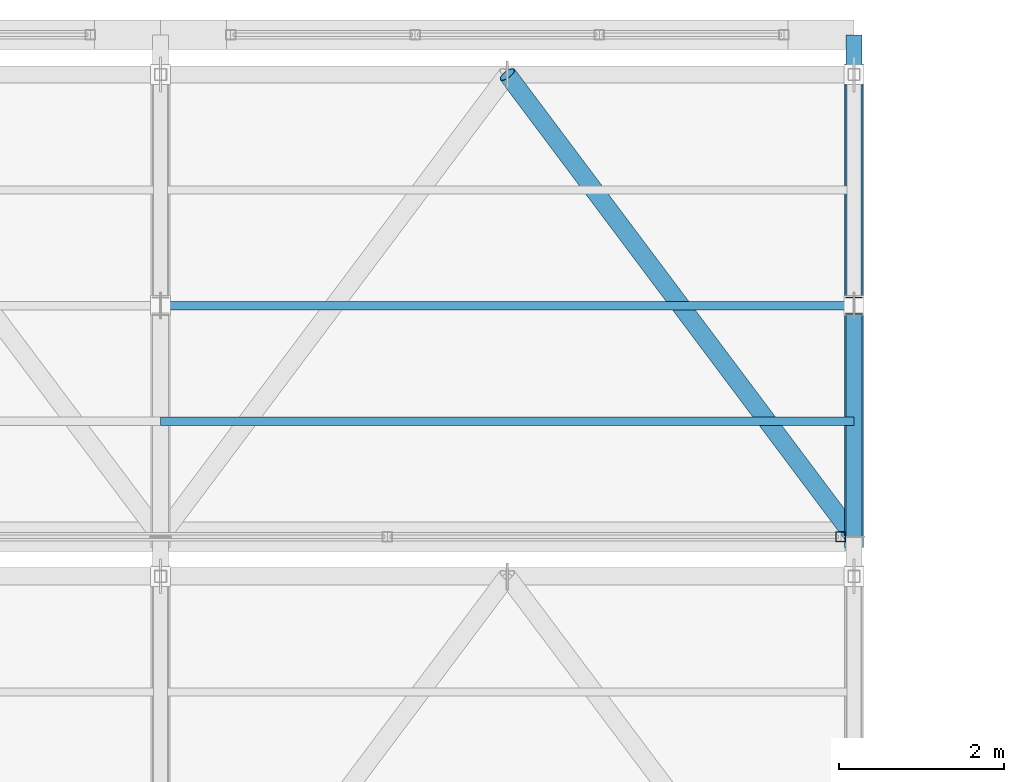
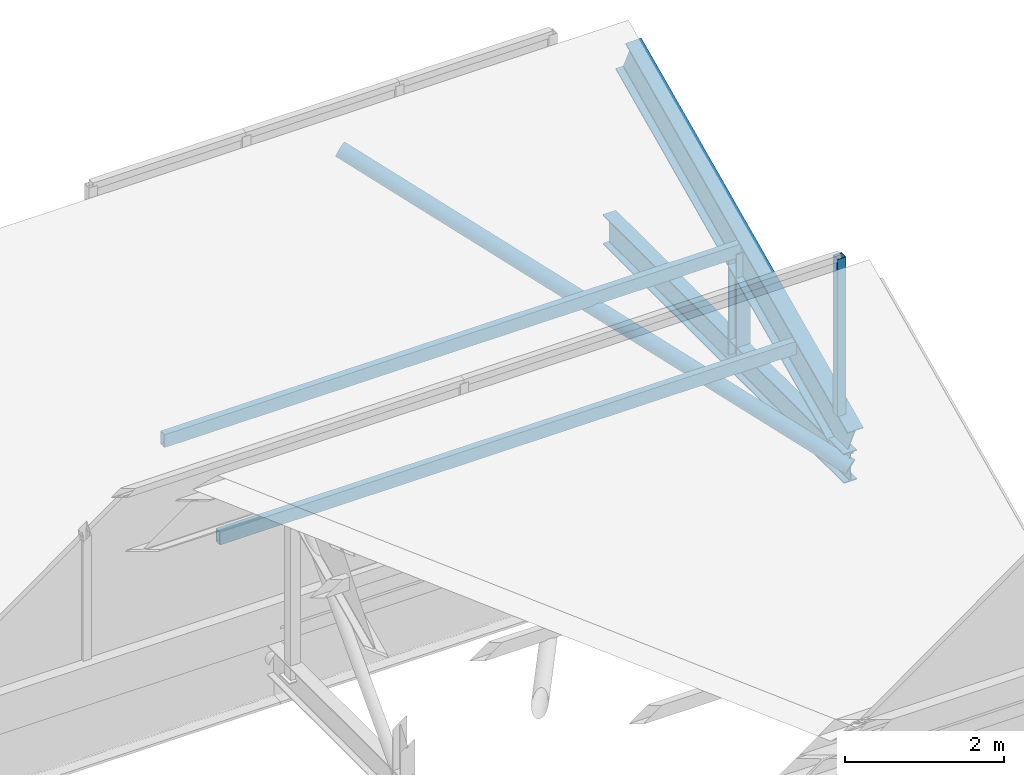
# One storey, part 129 of 217: 7 members, 1 element without a shape of its own.
"""IFC4 building model written with IfcOpenShell, lengths in metres."""

import ifcopenshell
import ifcopenshell.guid

model = None  # the IFC model being written
_history = None  # IfcOwnerHistory: only IFC2X3 demands one
_inside = {}  # id of a spatial element -> (the spatial element, [elements in it])
_under = {}  # id of a project, library or spatial element -> (it, [spatial elements below it])
_declared = {}  # id of a project -> (the project, [libraries it declares])
_typed = {}  # id of a type object -> (the type object, [elements of that type])
_made_of = {}  # id of a material, layer set ... -> (it, [elements and type objects made of it])


def new_model(schema):
    """Start an empty IFC model of exactly this schema.

    Asked for "IFC4X3", IfcOpenShell would pick the latest addendum, in which some entities
    have other attributes; the version numbers below select the first issue.
    IFC2X3 requires an IfcOwnerHistory on every rooted entity: one is made here for all.
    """
    global model, _history
    if schema == "IFC4X3":
        model = ifcopenshell.file(schema_version=(4, 3, 0, 0))
    else:
        model = ifcopenshell.file(schema=schema)
    _inside.clear()
    _under.clear()
    _declared.clear()
    _typed.clear()
    _made_of.clear()
    _history = None
    if model.schema == "IFC2X3":
        org = make("IfcOrganization", Name="unknown")
        user = make(
            "IfcPersonAndOrganization",
            ThePerson=make("IfcPerson", FamilyName="unknown"),
            TheOrganization=org,
        )
        app = make(
            "IfcApplication",
            ApplicationDeveloper=org,
            Version="unknown",
            ApplicationFullName="unknown",
            ApplicationIdentifier="unknown",
        )
        _history = make(
            "IfcOwnerHistory",
            OwningUser=user,
            OwningApplication=app,
            ChangeAction="ADDED",
            CreationDate=0,
        )
    return model


def make(cls, **values):
    """One entity of the class cls with the attributes given. An attribute that is None is left unset."""
    return model.create_entity(
        cls, **{name: value for name, value in values.items() if value is not None}
    )


def rooted(cls, **values):
    """An entity with a GlobalId (a new one), such as an element, a storey or a relation."""
    return make(cls, GlobalId=ifcopenshell.guid.new(), OwnerHistory=_history, **values)


def si_unit(unit_type, name, prefix=None):
    """IfcSIUnit, for example si_unit("LENGTHUNIT", "METRE", prefix="MILLI")."""
    return make("IfcSIUnit", UnitType=unit_type, Prefix=prefix, Name=name)


def assignment(units):
    """IfcUnitAssignment: the units of a project."""
    return None if units is None else make("IfcUnitAssignment", Units=units)


def point(xyz):
    """IfcCartesianPoint."""
    return None if xyz is None else make("IfcCartesianPoint", Coordinates=xyz)


def direction(xyz):
    """IfcDirection."""
    return None if xyz is None else make("IfcDirection", DirectionRatios=xyz)


def frame(location, z_axis=None, x_axis=None):
    """IfcAxis2Placement3D, a coordinate frame: its origin and axes. An axis left out is left unset."""
    return make(
        "IfcAxis2Placement3D",
        Location=point(location),
        Axis=direction(z_axis),
        RefDirection=direction(x_axis),
    )


def frame_2d(location, x_axis=None):
    """IfcAxis2Placement2D, a coordinate frame in the plane: its origin and x axis."""
    return make(
        "IfcAxis2Placement2D", Location=point(location), RefDirection=direction(x_axis)
    )


def origin():
    """The frame at (0, 0, 0) with its axes left unset."""
    return frame((0.0, 0.0, 0.0))


def origin_2d():
    """The frame at (0, 0) in the plane with its x axis left unset."""
    return frame_2d((0.0, 0.0))


def place(relative_to, where):
    """IfcLocalPlacement: puts the frame where relative to a parent placement (None: the world)."""
    return make(
        "IfcLocalPlacement", PlacementRelTo=relative_to, RelativePlacement=where
    )


def context(
    kind, dimensions, precision=None, world=None, true_north=None, identifier=None
):
    """IfcGeometricRepresentationContext, for example the 3D "Model" context."""
    return make(
        "IfcGeometricRepresentationContext",
        ContextIdentifier=identifier,
        ContextType=kind,
        CoordinateSpaceDimension=dimensions,
        Precision=precision,
        WorldCoordinateSystem=world,
        TrueNorth=true_north,
    )


def subcontext(parent, identifier, kind, view, scale=None):
    """IfcGeometricRepresentationSubContext, for example "Body" below "Model"."""
    return make(
        "IfcGeometricRepresentationSubContext",
        ContextIdentifier=identifier,
        ContextType=kind,
        ParentContext=parent,
        TargetScale=scale,
        TargetView=view,
    )


def project(units=None, contexts=None):
    """IfcProject with its units and contexts."""
    return rooted(
        "IfcProject",
        Name="project",
        RepresentationContexts=contexts,
        UnitsInContext=assignment(units),
    )


def spatial(cls, under=None, at=None, **own):
    """A site, building, storey or space (cls), placed at a placement, below another one or the project."""
    s = rooted(cls, ObjectPlacement=at, **own)
    if under is not None:
        _under.setdefault(under.id(), (under, []))[1].append(s)
    return s


def profile(cls, at=None, kind="AREA", **sizes):
    """A parametric profile (cls). Its sizes go by their IFC names, for example OverallWidth=200.0."""
    return make(cls, ProfileType=kind, Position=at, **sizes)


def hollow_rectangle(**sizes):
    """IfcRectangleHollowProfileDef."""
    return profile("IfcRectangleHollowProfileDef", **sizes)


def hollow_circle(**sizes):
    """IfcCircleHollowProfileDef."""
    return profile("IfcCircleHollowProfileDef", **sizes)


def i_section(**sizes):
    """IfcIShapeProfileDef."""
    return profile("IfcIShapeProfileDef", **sizes)


def extrude(swept, where, along, depth):
    """IfcExtrudedAreaSolid: the profile swept, set in the frame where, extruded along a direction by depth."""
    return make(
        "IfcExtrudedAreaSolid",
        SweptArea=swept,
        Position=where,
        ExtrudedDirection=direction(along),
        Depth=depth,
    )


def shape(context_of_items, identifier, shape_type, items):
    """IfcShapeRepresentation: the items that make up one representation, for example the "Body"."""
    return make(
        "IfcShapeRepresentation",
        ContextOfItems=context_of_items,
        RepresentationIdentifier=identifier,
        RepresentationType=shape_type,
        Items=items,
    )


def material(Name=None, Category=None):
    """IfcMaterial."""
    return make("IfcMaterial", Name=Name, Category=Category)


def material_profile(
    of_material, cross_section, Name=None, Category=None, Priority=None
):
    """IfcMaterialProfile: a cross section and its material."""
    return make(
        "IfcMaterialProfile",
        Name=Name,
        Material=of_material,
        Profile=cross_section,
        Priority=Priority,
        Category=Category,
    )


def profile_set(profiles, Name=None, composite=None):
    """IfcMaterialProfileSet."""
    return make(
        "IfcMaterialProfileSet",
        Name=Name,
        MaterialProfiles=profiles,
        CompositeProfile=composite,
    )


def made_of(thing, what):
    """Note that an element or type object is made of a material, layer set ...; save() writes the relation."""
    if what is not None:
        _made_of.setdefault(what.id(), (what, []))[1].append(thing)
    return thing


def type_object(cls, material=None, **own):
    """A type object (cls), such as IfcWallType, which elements share."""
    return made_of(rooted(cls, **own), material)


def element(
    cls,
    number,
    at=None,
    inside=None,
    cuts=None,
    type_object=None,
    material=None,
    context=None,
    identifier="Body",
    shape_type=None,
    held_by="IfcProductDefinitionShape",
    body=None,
    shapes=None,
    **own,
):
    """One element of the class cls, such as IfcWall. Its Tag is "e" and its number.

    at: its placement. inside: the storey or other place that contains it. cuts: it is an
    opening in that element (IfcRelVoidsElement). A single representation is given by context,
    identifier, shape_type and body (its items); several are given by shapes. held_by: the class
    of the entity that holds the representations. save() writes the other relations.
    """
    e = rooted(cls, Tag="e%d" % number, ObjectPlacement=at, **own)
    if body is not None:
        shapes = [shape(context, identifier, shape_type, body)]
    if shapes is not None:
        e.Representation = make(held_by, Representations=shapes)
    if inside is not None:
        _inside.setdefault(inside.id(), (inside, []))[1].append(e)
    if cuts is not None:
        rooted(
            "IfcRelVoidsElement", RelatingBuildingElement=cuts, RelatedOpeningElement=e
        )
    if type_object is not None:
        _typed.setdefault(type_object.id(), (type_object, []))[1].append(e)
    return made_of(e, material)


def aggregate(whole, parts):
    """IfcRelAggregates: a whole, such as a stair, and the parts it consists of."""
    return rooted("IfcRelAggregates", RelatingObject=whole, RelatedObjects=parts)


def save(model, path):
    """Write the relations noted so far, then the file.

    IfcRelAggregates (storeys below a building ...), IfcRelContainedInSpatialStructure (elements
    in a storey), IfcRelDefinesByType, IfcRelAssociatesMaterial and IfcRelDeclares: one each for
    every whole, place, type object, material and project.
    """
    for whole, parts in _under.values():
        aggregate(whole, parts)
    for where, things in _inside.values():
        rooted(
            "IfcRelContainedInSpatialStructure",
            RelatedElements=things,
            RelatingStructure=where,
        )
    for kind, things in _typed.values():
        rooted("IfcRelDefinesByType", RelatedObjects=things, RelatingType=kind)
    for what, things in _made_of.values():
        rooted("IfcRelAssociatesMaterial", RelatedObjects=things, RelatingMaterial=what)
    for by, libraries in _declared.values():
        rooted("IfcRelDeclares", RelatingContext=by, RelatedDefinitions=libraries)
    model.write(path)


model = new_model("IFC4")

# Units and contexts
model_context = context("Model", 3, precision=1e-05, world=origin(), true_north=direction((0.0, 1.0)))
body_context = subcontext(model_context, "Body", "Model", "MODEL_VIEW")
ifc_project = project(units=[si_unit("LENGTHUNIT", "METRE"), si_unit("AREAUNIT", "SQUARE_METRE"), si_unit("VOLUMEUNIT", "CUBIC_METRE"), si_unit("PLANEANGLEUNIT", "RADIAN"), si_unit("MASSUNIT", "GRAM", prefix="KILO")], contexts=[model_context])

# Site, building, storey
site_placement = place(None, origin())
site = spatial("IfcSite", under=ifc_project, at=site_placement, CompositionType="ELEMENT")
building_placement = place(site_placement, origin())
building = spatial("IfcBuilding", under=site, at=building_placement, Name="Zuvorla Pavilion Media Centre", CompositionType="ELEMENT")
storey_placement = place(building_placement, frame((0.0, 0.0, 9.60009765625)))
storey = spatial("IfcBuildingStorey", under=building, at=storey_placement, Name="L02", CompositionType="ELEMENT", Elevation=9.60009765625)

# Curtain wall, member
ifc_material_1 = material(Name="Unitised anodised aluminium and solar glass curtain wall", Category="aluminium")
curtain_wall_type = type_object("IfcCurtainWallType", Name="CW-SYS-88", PredefinedType="USERDEFINED", material=ifc_material_1)
curtain_wall_placement = place(storey_placement, origin())
curtain_wall = element("IfcCurtainWall", 1, at=curtain_wall_placement, inside=storey, type_object=curtain_wall_type, Name="L02 curtain wall CW88 215", ObjectType="CURTAIN WALL", PredefinedType="USERDEFINED")
ifc_material_2 = material(Name="Anodised aluminium 6063-T6", Category="aluminium")
ifc_material_profile_1 = material_profile(ifc_material_2, hollow_rectangle(XDim=0.1201171875, YDim=0.1201171875, WallThickness=0.0048828125, at=origin_2d()), Name="ALU MULL 120x120")
ifc_profile_set_1 = profile_set([ifc_material_profile_1], Name="Anodised aluminium 6063-T6")
member_type_1 = type_object("IfcMemberType", Name="CW-MULL-120", PredefinedType="MULLION", material=ifc_profile_set_1)
member_1_placement = place(storey_placement, frame((133.840087890625, 113.919921875, 0.0), z_axis=(0.0, 0.0, 1.0), x_axis=(1.0, 0.0, 0.0)))
member_1 = element("IfcMember", 2, at=member_1_placement, type_object=member_type_1, Name="CW88 mullion 4", PredefinedType="MULLION", context=body_context, shape_type="SweptSolid", body=[
    extrude(hollow_rectangle(XDim=0.1201171875, YDim=0.1201171875, WallThickness=0.0048828125, at=origin_2d()), origin(), (0.0, 0.0, 1.0), 2.419921875),
])
aggregate(curtain_wall, [member_1])

# Members
ifc_material_3 = material(Name="Steel S355", Category="steel")
ifc_material_profile_2 = material_profile(ifc_material_3, hollow_circle(Radius=0.109619140625, WallThickness=0.010009765625, at=origin_2d()), Name="CHS 219.1x10")
ifc_profile_set_2 = profile_set([ifc_material_profile_2], Name="Steel S355")
member_type_2 = type_object("IfcMemberType", Name="MEM-BRC-CHS219", PredefinedType="BRACE", material=ifc_profile_set_2)
member_2_placement = place(storey_placement, frame((129.800048828125, 119.52001953125, 2.08349609375), z_axis=(0.552511596944, -0.736703540702, -0.389870271191), x_axis=(0.800008370399, 0.599988839305, 0.0)))
element("IfcMember", 3, at=member_2_placement, inside=storey, type_object=member_type_2, Name="L02 diagonal brace TB02 494", PredefinedType="BRACE", context=body_context, shape_type="SweptSolid", body=[
    extrude(hollow_circle(Radius=0.109619140625, WallThickness=0.010009765625, at=origin_2d()), origin(), (0.0, 0.0, 1.0), 7.6015625),
])
ifc_material_profile_3 = material_profile(ifc_material_3, i_section(OverallWidth=0.19140625, OverallDepth=0.4599609375, WebThickness=0.010009765625, FlangeThickness=0.01611328125, FilletRadius=0.01025390625, at=origin_2d()), Name="UB 457x191x82")
ifc_profile_set_3 = profile_set([ifc_material_profile_3], Name="Steel S355")
member_type_3 = type_object("IfcMemberType", Name="MEM-CHD-UB457", PredefinedType="CHORD", material=ifc_profile_set_3)
member_3_placement = place(storey_placement, frame((134.0, 113.919921875, -0.880126953125), z_axis=(0.0, 1.0, 0.0), x_axis=(-1.0, 0.0, 0.0)))
element("IfcMember", 4, at=member_3_placement, inside=storey, type_object=member_type_3, Name="L02 chord TC03 445", PredefinedType="CHORD", context=body_context, shape_type="SweptSolid", body=[
    extrude(i_section(OverallWidth=0.19140625, OverallDepth=0.4599609375, WebThickness=0.010009765625, FlangeThickness=0.01611328125, FilletRadius=0.01025390625, at=origin_2d()), origin(), (0.0, 0.0, 1.0), 6.080078125),
])
ifc_material_profile_4 = material_profile(ifc_material_3, i_section(OverallWidth=0.22900390625, OverallDepth=0.6123046875, WebThickness=0.011962890625, FlangeThickness=0.01953125, FilletRadius=0.0126953125, at=origin_2d()), Name="UB 610x229x125")
ifc_profile_set_4 = profile_set([ifc_material_profile_4], Name="Steel S355")
member_type_4 = type_object("IfcMemberType", Name="MEM-CHD-UB610", PredefinedType="CHORD", material=ifc_profile_set_4)
member_4_placement = place(storey_placement, frame((134.0, 113.919921875, -0.5166015625), z_axis=(0.0, 0.907005731366, 0.421118277053), x_axis=(-1.0, 0.0, 0.0)))
element("IfcMember", 5, at=member_4_placement, inside=storey, type_object=member_type_4, Name="L02 chord TC01 446", PredefinedType="CHORD", context=body_context, shape_type="SweptSolid", body=[
    extrude(i_section(OverallWidth=0.22900390625, OverallDepth=0.6123046875, WebThickness=0.011962890625, FlangeThickness=0.01953125, FilletRadius=0.0126953125, at=origin_2d()), origin(), (0.0, 0.0, 1.0), 6.17431640625),
])
ifc_material_profile_5 = material_profile(ifc_material_3, hollow_rectangle(XDim=0.10009765625, YDim=0.199951171875, WallThickness=0.008056640625, at=origin_2d()), Name="RHS 200x100x8")
ifc_profile_set_5 = profile_set([ifc_material_profile_5], Name="Steel S355")
member_type_5 = type_object("IfcMemberType", Name="MEM-PUR-RHS200", PredefinedType="PURLIN", material=ifc_profile_set_5)
for number, where, z_axis, x_axis, name in (
    (6, (125.60009765625, 115.320068359375, 0.133544921875), (1.0, 0.0, 0.0), (0.0, 1.0, 0.0), "L02 purlin PR01 495"),
    (7, (125.60009765625, 116.719970703125, 0.783447265625), (1.0, 0.0, 0.0), (0.0, 1.0, 0.0), "L02 purlin PR01 496"),
):
    element("IfcMember", number, at=place(storey_placement, frame(where, z_axis=z_axis, x_axis=x_axis)), inside=storey, type_object=member_type_5, Name=name, PredefinedType="PURLIN", context=body_context, shape_type="SweptSolid", body=[
        extrude(hollow_rectangle(XDim=0.10009765625, YDim=0.199951171875, WallThickness=0.008056640625, at=origin_2d()), origin(), (0.0, 0.0, 1.0), 8.39990234375),
    ])
ifc_material_profile_6 = material_profile(ifc_material_3, i_section(OverallWidth=0.205810546875, OverallDepth=0.209716796875, WebThickness=0.009521484375, FlangeThickness=0.01416015625, FilletRadius=0.01025390625, at=origin_2d()), Name="UC 203x203x60")
ifc_profile_set_6 = profile_set([ifc_material_profile_6], Name="Steel S355")
member_type_6 = type_object("IfcMemberType", Name="MEM-STR-UC203", PredefinedType="STRUT", material=ifc_profile_set_6)
member_5_placement = place(storey_placement, frame((134.0, 116.719970703125, -0.880126953125), z_axis=(0.0, 0.0, 1.0), x_axis=(1.0, 0.0, 0.0)))
element("IfcMember", 8, at=member_5_placement, inside=storey, type_object=member_type_6, Name="L02 vertical strut TS02 449", PredefinedType="STRUT", context=body_context, shape_type="SweptSolid", body=[
    extrude(i_section(OverallWidth=0.205810546875, OverallDepth=0.209716796875, WebThickness=0.009521484375, FlangeThickness=0.01416015625, FilletRadius=0.01025390625, at=origin_2d()), origin(), (0.0, 0.0, 1.0), 1.66357421875),
])

save(model, "model.ifc")
